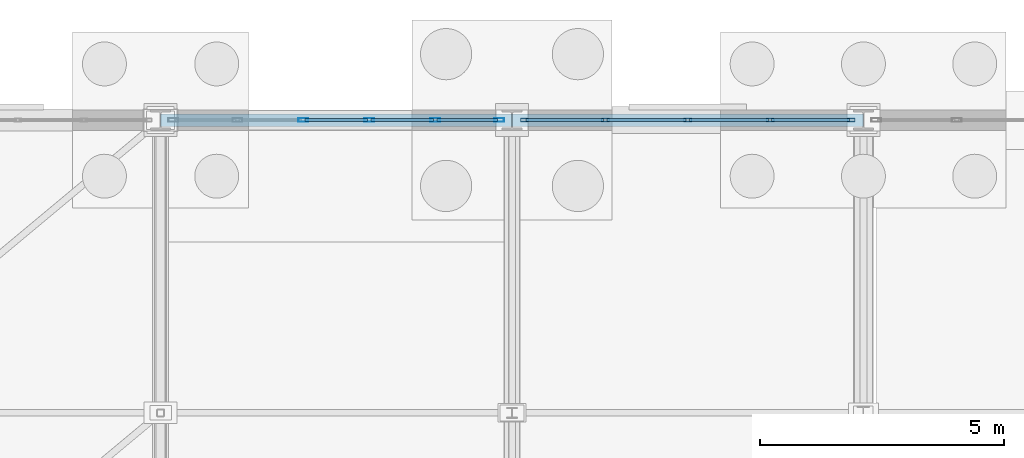
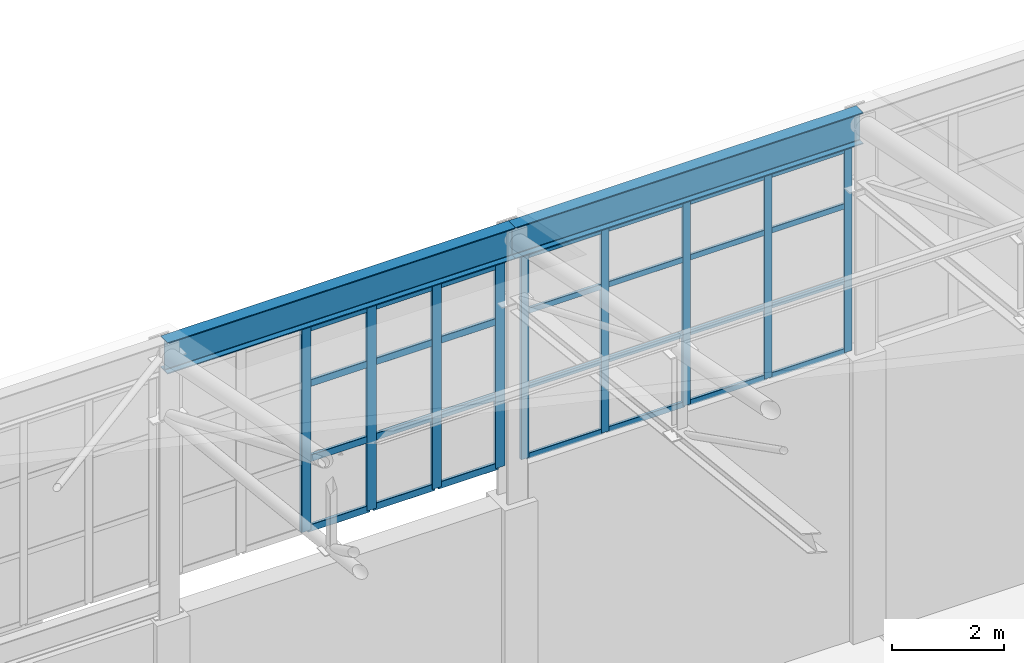
# One storey, part 203 of 293: 37 members, 2 beams, 2 elements without a shape of their own.
"""IFC4 building model written with IfcOpenShell, lengths in metres."""

from ifc_helpers import new_model, si_unit, direction, frame, origin, origin_2d, place, context, subcontext, project, spatial, hollow_rectangle, i_section, extrude, material, layer, layer_set, material_profile, profile_set, type_object, element, aggregate, save


model = new_model("IFC4")

# Units and contexts
model_context = context("Model", 3, precision=1e-05, world=origin(), true_north=direction((0.0, 1.0)))
body_context = subcontext(model_context, "Body", "Model", "MODEL_VIEW")
ifc_project = project(units=[si_unit("LENGTHUNIT", "METRE"), si_unit("AREAUNIT", "SQUARE_METRE"), si_unit("VOLUMEUNIT", "CUBIC_METRE"), si_unit("PLANEANGLEUNIT", "RADIAN"), si_unit("MASSUNIT", "GRAM", prefix="KILO")], contexts=[model_context])

# Site, building, storey
site_placement = place(None, origin())
site = spatial("IfcSite", under=ifc_project, at=site_placement, CompositionType="ELEMENT")
building_placement = place(site_placement, origin())
building = spatial("IfcBuilding", under=site, at=building_placement, Name="Kemerveld Promenade Tramway Depot", CompositionType="ELEMENT")
storey_placement = place(building_placement, origin())
storey = spatial("IfcBuildingStorey", under=building, at=storey_placement, Name="L00", CompositionType="ELEMENT", Elevation=0.0)

# Beams
ifc_material_1 = material(Name="Steel S355", Category="steel")
ifc_material_profile_1 = material_profile(ifc_material_1, i_section(OverallWidth=0.25439453125, OverallDepth=0.6875, WebThickness=0.01318359375, FlangeThickness=0.02099609375, FilletRadius=0.01513671875, at=origin_2d()), Name="686x254x152 UB")
ifc_profile_set_1 = profile_set([ifc_material_profile_1], Name="Steel S355")
beam_type = type_object("IfcBeamType", Name="BM-G03", PredefinedType="BEAM", material=ifc_profile_set_1)
beam_1_placement = place(storey_placement, frame((43.199951171875, 144.0, 11.056396484375), z_axis=(1.0, 0.0, 0.0), x_axis=(0.0, 1.0, 0.0)))
element("IfcBeam", 1, at=beam_1_placement, inside=storey, type_object=beam_type, Name="BM-SHED-EAVE-U-07", PredefinedType="BEAM", context=body_context, shape_type="SweptSolid", body=[
    extrude(i_section(OverallWidth=0.25439453125, OverallDepth=0.6875, WebThickness=0.01318359375, FlangeThickness=0.02099609375, FilletRadius=0.01513671875, at=origin_2d()), origin(), (0.0, 0.0, 1.0), 7.199951171875),
])
beam_2_placement = place(storey_placement, frame((50.39990234375, 144.0, 11.056396484375), z_axis=(1.0, 0.0, 0.0), x_axis=(0.0, 1.0, 0.0)))
element("IfcBeam", 2, at=beam_2_placement, inside=storey, type_object=beam_type, Name="BM-SHED-EAVE-U-08", PredefinedType="BEAM", context=body_context, shape_type="SweptSolid", body=[
    extrude(i_section(OverallWidth=0.25439453125, OverallDepth=0.6875, WebThickness=0.01318359375, FlangeThickness=0.02099609375, FilletRadius=0.01513671875, at=origin_2d()), origin(), (0.0, 0.0, 1.0), 7.2001953125),
])

# Curtain wall, members
ifc_material_2 = material(Name="Bronze anodised aluminium and solar glass", Category="aluminium")
ifc_layer_1 = layer(ifc_material_2, 0.159912109375)
ifc_layer_set_1 = layer_set([ifc_layer_1], Name="CW-SYS-03")
curtain_wall_type_1 = type_object("IfcCurtainWallType", Name="CW-SYS-03", PredefinedType="USERDEFINED", material=ifc_layer_set_1)
curtain_wall_1_placement = place(storey_placement, origin())
curtain_wall_1 = element("IfcCurtainWall", 3, at=curtain_wall_1_placement, inside=storey, type_object=curtain_wall_type_1, Name="CW-V1-N-03", ObjectType="GLAZED_CURTAIN_WALL", PredefinedType="USERDEFINED")
ifc_material_3 = material(Name="Bronze anodised aluminium", Category="aluminium")
ifc_material_profile_2 = material_profile(ifc_material_3, hollow_rectangle(XDim=0.06494140625, YDim=0.159912109375, WallThickness=0.00390625, InnerFilletRadius=0.001953125, OuterFilletRadius=0.00390625, at=origin_2d()), Name="CW-MUL-160x65")
ifc_profile_set_2 = profile_set([ifc_material_profile_2], Name="Bronze anodised aluminium")
member_type_1 = type_object("IfcMemberType", Name="CW-MUL-A", PredefinedType="MULLION", material=ifc_profile_set_2)
member_1_placement = place(storey_placement, frame((50.65576171875, 144.0, 6.199951171875), z_axis=(0.0, 0.0, 1.0), x_axis=(0.0, 1.0, 0.0)))
member_1 = element("IfcMember", 4, at=member_1_placement, type_object=member_type_1, Name="CW03 mullion 1", PredefinedType="MULLION", context=body_context, shape_type="SweptSolid", body=[
    extrude(hollow_rectangle(XDim=0.06494140625, YDim=0.159912109375, WallThickness=0.00390625, InnerFilletRadius=0.001953125, OuterFilletRadius=0.00390625, at=origin_2d()), origin(), (0.0, 0.0, 1.0), 4.449951171875),
])
member_2_placement = place(storey_placement, frame((52.3115234375, 144.0, 6.199951171875), z_axis=(0.0, 0.0, 1.0), x_axis=(0.0, 1.0, 0.0)))
member_2 = element("IfcMember", 5, at=member_2_placement, type_object=member_type_1, Name="CW03 mullion 2", PredefinedType="MULLION", context=body_context, shape_type="SweptSolid", body=[
    extrude(hollow_rectangle(XDim=0.06494140625, YDim=0.159912109375, WallThickness=0.00390625, InnerFilletRadius=0.001953125, OuterFilletRadius=0.00390625, at=origin_2d()), origin(), (0.0, 0.0, 1.0), 4.449951171875),
])
member_3_placement = place(storey_placement, frame((54.0, 144.0, 6.199951171875), z_axis=(0.0, 0.0, 1.0), x_axis=(0.0, 1.0, 0.0)))
member_3 = element("IfcMember", 6, at=member_3_placement, type_object=member_type_1, Name="CW03 mullion 3", PredefinedType="MULLION", context=body_context, shape_type="SweptSolid", body=[
    extrude(hollow_rectangle(XDim=0.06494140625, YDim=0.159912109375, WallThickness=0.00390625, InnerFilletRadius=0.001953125, OuterFilletRadius=0.00390625, at=origin_2d()), origin(), (0.0, 0.0, 1.0), 4.449951171875),
])
member_4_placement = place(storey_placement, frame((55.6884765625, 144.0, 6.199951171875), z_axis=(0.0, 0.0, 1.0), x_axis=(0.0, 1.0, 0.0)))
member_4 = element("IfcMember", 7, at=member_4_placement, type_object=member_type_1, Name="CW03 mullion 4", PredefinedType="MULLION", context=body_context, shape_type="SweptSolid", body=[
    extrude(hollow_rectangle(XDim=0.06494140625, YDim=0.159912109375, WallThickness=0.00390625, InnerFilletRadius=0.001953125, OuterFilletRadius=0.00390625, at=origin_2d()), origin(), (0.0, 0.0, 1.0), 4.449951171875),
])
member_5_placement = place(storey_placement, frame((57.34423828125, 144.0, 6.199951171875), z_axis=(0.0, 0.0, 1.0), x_axis=(0.0, 1.0, 0.0)))
member_5 = element("IfcMember", 8, at=member_5_placement, type_object=member_type_1, Name="CW03 mullion 5", PredefinedType="MULLION", context=body_context, shape_type="SweptSolid", body=[
    extrude(hollow_rectangle(XDim=0.06494140625, YDim=0.159912109375, WallThickness=0.00390625, InnerFilletRadius=0.001953125, OuterFilletRadius=0.00390625, at=origin_2d()), origin(), (0.0, 0.0, 1.0), 4.449951171875),
])

ifc_layer_2 = layer(ifc_material_2, 0.199951171875)
ifc_layer_set_2 = layer_set([ifc_layer_2], Name="CW-SYS-02")
curtain_wall_type_2 = type_object("IfcCurtainWallType", Name="CW-SYS-02", PredefinedType="USERDEFINED", material=ifc_layer_set_2)
curtain_wall_2_placement = place(storey_placement, origin())
curtain_wall_2 = element("IfcCurtainWall", 9, at=curtain_wall_2_placement, inside=storey, type_object=curtain_wall_type_2, Name="CW-V1-N-02", ObjectType="GLAZED_CURTAIN_WALL", PredefinedType="USERDEFINED")
ifc_material_profile_3 = material_profile(ifc_material_3, hollow_rectangle(XDim=0.074951171875, YDim=0.199951171875, WallThickness=0.0048828125, InnerFilletRadius=0.001953125, OuterFilletRadius=0.0048828125, at=origin_2d()), Name="CW-MUL-200x75")
ifc_profile_set_3 = profile_set([ifc_material_profile_3], Name="Bronze anodised aluminium")
member_type_2 = type_object("IfcMemberType", Name="CW-MUL-B", PredefinedType="MULLION", material=ifc_profile_set_3)
member_6_placement = place(storey_placement, frame((46.124755859375, 144.0, 6.199951171875), z_axis=(0.0, 0.0, 1.0), x_axis=(0.0, 1.0, 0.0)))
member_6 = element("IfcMember", 10, at=member_6_placement, type_object=member_type_2, Name="CW02 mullion 3", PredefinedType="MULLION", context=body_context, shape_type="SweptSolid", body=[
    extrude(hollow_rectangle(XDim=0.074951171875, YDim=0.199951171875, WallThickness=0.0048828125, InnerFilletRadius=0.001953125, OuterFilletRadius=0.0048828125, at=origin_2d()), origin(), (0.0, 0.0, 1.0), 4.449951171875),
])
member_7_placement = place(storey_placement, frame((47.475341796875, 144.0, 6.199951171875), z_axis=(0.0, 0.0, 1.0), x_axis=(0.0, 1.0, 0.0)))
member_7 = element("IfcMember", 11, at=member_7_placement, type_object=member_type_2, Name="CW02 mullion 4", PredefinedType="MULLION", context=body_context, shape_type="SweptSolid", body=[
    extrude(hollow_rectangle(XDim=0.074951171875, YDim=0.199951171875, WallThickness=0.0048828125, InnerFilletRadius=0.001953125, OuterFilletRadius=0.0048828125, at=origin_2d()), origin(), (0.0, 0.0, 1.0), 4.449951171875),
])
member_8_placement = place(storey_placement, frame((48.826171875, 144.0, 6.199951171875), z_axis=(0.0, 0.0, 1.0), x_axis=(0.0, 1.0, 0.0)))
member_8 = element("IfcMember", 12, at=member_8_placement, type_object=member_type_2, Name="CW02 mullion 5", PredefinedType="MULLION", context=body_context, shape_type="SweptSolid", body=[
    extrude(hollow_rectangle(XDim=0.074951171875, YDim=0.199951171875, WallThickness=0.0048828125, InnerFilletRadius=0.001953125, OuterFilletRadius=0.0048828125, at=origin_2d()), origin(), (0.0, 0.0, 1.0), 4.449951171875),
])
member_9_placement = place(storey_placement, frame((50.139404296875, 144.0, 6.199951171875), z_axis=(0.0, 0.0, 1.0), x_axis=(0.0, 1.0, 0.0)))
member_9 = element("IfcMember", 13, at=member_9_placement, type_object=member_type_2, Name="CW02 mullion 6", PredefinedType="MULLION", context=body_context, shape_type="SweptSolid", body=[
    extrude(hollow_rectangle(XDim=0.074951171875, YDim=0.199951171875, WallThickness=0.0048828125, InnerFilletRadius=0.001953125, OuterFilletRadius=0.0048828125, at=origin_2d()), origin(), (0.0, 0.0, 1.0), 4.449951171875),
])

# Member
ifc_material_profile_4 = material_profile(ifc_material_3, hollow_rectangle(XDim=0.06005859375, YDim=0.1201171875, WallThickness=0.00390625, InnerFilletRadius=0.001953125, OuterFilletRadius=0.00390625, at=origin_2d()), Name="CW-TRN-120x60")
ifc_profile_set_4 = profile_set([ifc_material_profile_4], Name="Bronze anodised aluminium")
member_type_3 = type_object("IfcMemberType", Name="CW-TRN-A", PredefinedType="USERDEFINED", material=ifc_profile_set_4)
member_10_placement = place(storey_placement, frame((50.688232421875, 144.0, 6.22998046875), z_axis=(1.0, 0.0, 0.0), x_axis=(0.0, 1.0, 0.0)))
member_10 = element("IfcMember", 14, at=member_10_placement, type_object=member_type_3, Name="CW03 transom 1.1", ObjectType="TRANSOM", PredefinedType="USERDEFINED", context=body_context, shape_type="SweptSolid", body=[
    extrude(hollow_rectangle(XDim=0.06005859375, YDim=0.1201171875, WallThickness=0.00390625, InnerFilletRadius=0.001953125, OuterFilletRadius=0.00390625, at=origin_2d()), origin(), (0.0, 0.0, 1.0), 1.5908203125),
])

member_11_placement = place(storey_placement, frame((50.688232421875, 144.0, 7.758056640625), z_axis=(1.0, 0.0, 0.0), x_axis=(0.0, 1.0, 0.0)))
member_11 = element("IfcMember", 15, at=member_11_placement, type_object=member_type_3, Name="CW03 transom 1.2", ObjectType="TRANSOM", PredefinedType="USERDEFINED", context=body_context, shape_type="SweptSolid", body=[
    extrude(hollow_rectangle(XDim=0.06005859375, YDim=0.1201171875, WallThickness=0.00390625, InnerFilletRadius=0.001953125, OuterFilletRadius=0.00390625, at=origin_2d()), origin(), (0.0, 0.0, 1.0), 1.5908203125),
])

member_12_placement = place(storey_placement, frame((50.688232421875, 144.0, 9.404052734375), z_axis=(1.0, 0.0, 0.0), x_axis=(0.0, 1.0, 0.0)))
member_12 = element("IfcMember", 16, at=member_12_placement, type_object=member_type_3, Name="CW03 transom 1.3", ObjectType="TRANSOM", PredefinedType="USERDEFINED", context=body_context, shape_type="SweptSolid", body=[
    extrude(hollow_rectangle(XDim=0.06005859375, YDim=0.1201171875, WallThickness=0.00390625, InnerFilletRadius=0.001953125, OuterFilletRadius=0.00390625, at=origin_2d()), origin(), (0.0, 0.0, 1.0), 1.5908203125),
])

member_13_placement = place(storey_placement, frame((50.688232421875, 144.0, 10.6201171875), z_axis=(1.0, 0.0, 0.0), x_axis=(0.0, 1.0, 0.0)))
member_13 = element("IfcMember", 17, at=member_13_placement, type_object=member_type_3, Name="CW03 transom 1.4", ObjectType="TRANSOM", PredefinedType="USERDEFINED", context=body_context, shape_type="SweptSolid", body=[
    extrude(hollow_rectangle(XDim=0.06005859375, YDim=0.1201171875, WallThickness=0.00390625, InnerFilletRadius=0.001953125, OuterFilletRadius=0.00390625, at=origin_2d()), origin(), (0.0, 0.0, 1.0), 1.5908203125),
])

member_14_placement = place(storey_placement, frame((52.343994140625, 144.0, 6.22998046875), z_axis=(1.0, 0.0, 0.0), x_axis=(0.0, 1.0, 0.0)))
member_14 = element("IfcMember", 18, at=member_14_placement, type_object=member_type_3, Name="CW03 transom 2.1", ObjectType="TRANSOM", PredefinedType="USERDEFINED", context=body_context, shape_type="SweptSolid", body=[
    extrude(hollow_rectangle(XDim=0.06005859375, YDim=0.1201171875, WallThickness=0.00390625, InnerFilletRadius=0.001953125, OuterFilletRadius=0.00390625, at=origin_2d()), origin(), (0.0, 0.0, 1.0), 1.62353515625),
])

member_15_placement = place(storey_placement, frame((52.343994140625, 144.0, 7.758056640625), z_axis=(1.0, 0.0, 0.0), x_axis=(0.0, 1.0, 0.0)))
member_15 = element("IfcMember", 19, at=member_15_placement, type_object=member_type_3, Name="CW03 transom 2.2", ObjectType="TRANSOM", PredefinedType="USERDEFINED", context=body_context, shape_type="SweptSolid", body=[
    extrude(hollow_rectangle(XDim=0.06005859375, YDim=0.1201171875, WallThickness=0.00390625, InnerFilletRadius=0.001953125, OuterFilletRadius=0.00390625, at=origin_2d()), origin(), (0.0, 0.0, 1.0), 1.62353515625),
])

member_16_placement = place(storey_placement, frame((52.343994140625, 144.0, 9.404052734375), z_axis=(1.0, 0.0, 0.0), x_axis=(0.0, 1.0, 0.0)))
member_16 = element("IfcMember", 20, at=member_16_placement, type_object=member_type_3, Name="CW03 transom 2.3", ObjectType="TRANSOM", PredefinedType="USERDEFINED", context=body_context, shape_type="SweptSolid", body=[
    extrude(hollow_rectangle(XDim=0.06005859375, YDim=0.1201171875, WallThickness=0.00390625, InnerFilletRadius=0.001953125, OuterFilletRadius=0.00390625, at=origin_2d()), origin(), (0.0, 0.0, 1.0), 1.62353515625),
])

member_17_placement = place(storey_placement, frame((52.343994140625, 144.0, 10.6201171875), z_axis=(1.0, 0.0, 0.0), x_axis=(0.0, 1.0, 0.0)))
member_17 = element("IfcMember", 21, at=member_17_placement, type_object=member_type_3, Name="CW03 transom 2.4", ObjectType="TRANSOM", PredefinedType="USERDEFINED", context=body_context, shape_type="SweptSolid", body=[
    extrude(hollow_rectangle(XDim=0.06005859375, YDim=0.1201171875, WallThickness=0.00390625, InnerFilletRadius=0.001953125, OuterFilletRadius=0.00390625, at=origin_2d()), origin(), (0.0, 0.0, 1.0), 1.62353515625),
])

member_18_placement = place(storey_placement, frame((54.032470703125, 144.0, 6.22998046875), z_axis=(1.0, 0.0, 0.0), x_axis=(0.0, 1.0, 0.0)))
member_18 = element("IfcMember", 22, at=member_18_placement, type_object=member_type_3, Name="CW03 transom 3.1", ObjectType="TRANSOM", PredefinedType="USERDEFINED", context=body_context, shape_type="SweptSolid", body=[
    extrude(hollow_rectangle(XDim=0.06005859375, YDim=0.1201171875, WallThickness=0.00390625, InnerFilletRadius=0.001953125, OuterFilletRadius=0.00390625, at=origin_2d()), origin(), (0.0, 0.0, 1.0), 1.62353515625),
])

member_19_placement = place(storey_placement, frame((54.032470703125, 144.0, 7.758056640625), z_axis=(1.0, 0.0, 0.0), x_axis=(0.0, 1.0, 0.0)))
member_19 = element("IfcMember", 23, at=member_19_placement, type_object=member_type_3, Name="CW03 transom 3.2", ObjectType="TRANSOM", PredefinedType="USERDEFINED", context=body_context, shape_type="SweptSolid", body=[
    extrude(hollow_rectangle(XDim=0.06005859375, YDim=0.1201171875, WallThickness=0.00390625, InnerFilletRadius=0.001953125, OuterFilletRadius=0.00390625, at=origin_2d()), origin(), (0.0, 0.0, 1.0), 1.62353515625),
])

member_20_placement = place(storey_placement, frame((54.032470703125, 144.0, 9.404052734375), z_axis=(1.0, 0.0, 0.0), x_axis=(0.0, 1.0, 0.0)))
member_20 = element("IfcMember", 24, at=member_20_placement, type_object=member_type_3, Name="CW03 transom 3.3", ObjectType="TRANSOM", PredefinedType="USERDEFINED", context=body_context, shape_type="SweptSolid", body=[
    extrude(hollow_rectangle(XDim=0.06005859375, YDim=0.1201171875, WallThickness=0.00390625, InnerFilletRadius=0.001953125, OuterFilletRadius=0.00390625, at=origin_2d()), origin(), (0.0, 0.0, 1.0), 1.62353515625),
])

member_21_placement = place(storey_placement, frame((54.032470703125, 144.0, 10.6201171875), z_axis=(1.0, 0.0, 0.0), x_axis=(0.0, 1.0, 0.0)))
member_21 = element("IfcMember", 25, at=member_21_placement, type_object=member_type_3, Name="CW03 transom 3.4", ObjectType="TRANSOM", PredefinedType="USERDEFINED", context=body_context, shape_type="SweptSolid", body=[
    extrude(hollow_rectangle(XDim=0.06005859375, YDim=0.1201171875, WallThickness=0.00390625, InnerFilletRadius=0.001953125, OuterFilletRadius=0.00390625, at=origin_2d()), origin(), (0.0, 0.0, 1.0), 1.62353515625),
])

member_22_placement = place(storey_placement, frame((55.720947265625, 144.0, 6.22998046875), z_axis=(1.0, 0.0, 0.0), x_axis=(0.0, 1.0, 0.0)))
member_22 = element("IfcMember", 26, at=member_22_placement, type_object=member_type_3, Name="CW03 transom 4.1", ObjectType="TRANSOM", PredefinedType="USERDEFINED", context=body_context, shape_type="SweptSolid", body=[
    extrude(hollow_rectangle(XDim=0.06005859375, YDim=0.1201171875, WallThickness=0.00390625, InnerFilletRadius=0.001953125, OuterFilletRadius=0.00390625, at=origin_2d()), origin(), (0.0, 0.0, 1.0), 1.5908203125),
])

member_23_placement = place(storey_placement, frame((55.720947265625, 144.0, 7.758056640625), z_axis=(1.0, 0.0, 0.0), x_axis=(0.0, 1.0, 0.0)))
member_23 = element("IfcMember", 27, at=member_23_placement, type_object=member_type_3, Name="CW03 transom 4.2", ObjectType="TRANSOM", PredefinedType="USERDEFINED", context=body_context, shape_type="SweptSolid", body=[
    extrude(hollow_rectangle(XDim=0.06005859375, YDim=0.1201171875, WallThickness=0.00390625, InnerFilletRadius=0.001953125, OuterFilletRadius=0.00390625, at=origin_2d()), origin(), (0.0, 0.0, 1.0), 1.5908203125),
])

member_24_placement = place(storey_placement, frame((55.720947265625, 144.0, 9.404052734375), z_axis=(1.0, 0.0, 0.0), x_axis=(0.0, 1.0, 0.0)))
member_24 = element("IfcMember", 28, at=member_24_placement, type_object=member_type_3, Name="CW03 transom 4.3", ObjectType="TRANSOM", PredefinedType="USERDEFINED", context=body_context, shape_type="SweptSolid", body=[
    extrude(hollow_rectangle(XDim=0.06005859375, YDim=0.1201171875, WallThickness=0.00390625, InnerFilletRadius=0.001953125, OuterFilletRadius=0.00390625, at=origin_2d()), origin(), (0.0, 0.0, 1.0), 1.5908203125),
])

member_25_placement = place(storey_placement, frame((55.720947265625, 144.0, 10.6201171875), z_axis=(1.0, 0.0, 0.0), x_axis=(0.0, 1.0, 0.0)))
member_25 = element("IfcMember", 29, at=member_25_placement, type_object=member_type_3, Name="CW03 transom 4.4", ObjectType="TRANSOM", PredefinedType="USERDEFINED", context=body_context, shape_type="SweptSolid", body=[
    extrude(hollow_rectangle(XDim=0.06005859375, YDim=0.1201171875, WallThickness=0.00390625, InnerFilletRadius=0.001953125, OuterFilletRadius=0.00390625, at=origin_2d()), origin(), (0.0, 0.0, 1.0), 1.5908203125),
])

aggregate(curtain_wall_1, [member_1, member_2, member_3, member_4, member_5, member_10, member_11, member_12, member_13, member_14, member_15, member_16, member_17, member_18, member_19, member_20, member_21, member_22, member_23, member_24, member_25])

ifc_material_profile_5 = material_profile(ifc_material_3, hollow_rectangle(XDim=0.06494140625, YDim=0.14990234375, WallThickness=0.00439453125, InnerFilletRadius=0.001953125, OuterFilletRadius=0.00439453125, at=origin_2d()), Name="CW-TRN-150x65")
ifc_profile_set_5 = profile_set([ifc_material_profile_5], Name="Bronze anodised aluminium")
member_type_4 = type_object("IfcMemberType", Name="CW-TRN-B", PredefinedType="USERDEFINED", material=ifc_profile_set_5)
member_26_placement = place(storey_placement, frame((46.162109375, 144.0, 6.232421875), z_axis=(1.0, 0.0, 0.0), x_axis=(0.0, 1.0, 0.0)))
member_26 = element("IfcMember", 30, at=member_26_placement, type_object=member_type_4, Name="CW02 transom 3.1", ObjectType="TRANSOM", PredefinedType="USERDEFINED", context=body_context, shape_type="SweptSolid", body=[
    extrude(hollow_rectangle(XDim=0.06494140625, YDim=0.14990234375, WallThickness=0.00439453125, InnerFilletRadius=0.001953125, OuterFilletRadius=0.00439453125, at=origin_2d()), origin(), (0.0, 0.0, 1.0), 1.275634765625),
])

member_27_placement = place(storey_placement, frame((46.162109375, 144.0, 7.758056640625), z_axis=(1.0, 0.0, 0.0), x_axis=(0.0, 1.0, 0.0)))
member_27 = element("IfcMember", 31, at=member_27_placement, type_object=member_type_4, Name="CW02 transom 3.2", ObjectType="TRANSOM", PredefinedType="USERDEFINED", context=body_context, shape_type="SweptSolid", body=[
    extrude(hollow_rectangle(XDim=0.06494140625, YDim=0.14990234375, WallThickness=0.00439453125, InnerFilletRadius=0.001953125, OuterFilletRadius=0.00439453125, at=origin_2d()), origin(), (0.0, 0.0, 1.0), 1.275634765625),
])

member_28_placement = place(storey_placement, frame((46.162109375, 144.0, 9.404052734375), z_axis=(1.0, 0.0, 0.0), x_axis=(0.0, 1.0, 0.0)))
member_28 = element("IfcMember", 32, at=member_28_placement, type_object=member_type_4, Name="CW02 transom 3.3", ObjectType="TRANSOM", PredefinedType="USERDEFINED", context=body_context, shape_type="SweptSolid", body=[
    extrude(hollow_rectangle(XDim=0.06494140625, YDim=0.14990234375, WallThickness=0.00439453125, InnerFilletRadius=0.001953125, OuterFilletRadius=0.00439453125, at=origin_2d()), origin(), (0.0, 0.0, 1.0), 1.275634765625),
])

member_29_placement = place(storey_placement, frame((46.162109375, 144.0, 10.617431640625), z_axis=(1.0, 0.0, 0.0), x_axis=(0.0, 1.0, 0.0)))
member_29 = element("IfcMember", 33, at=member_29_placement, type_object=member_type_4, Name="CW02 transom 3.4", ObjectType="TRANSOM", PredefinedType="USERDEFINED", context=body_context, shape_type="SweptSolid", body=[
    extrude(hollow_rectangle(XDim=0.06494140625, YDim=0.14990234375, WallThickness=0.00439453125, InnerFilletRadius=0.001953125, OuterFilletRadius=0.00439453125, at=origin_2d()), origin(), (0.0, 0.0, 1.0), 1.275634765625),
])

member_30_placement = place(storey_placement, frame((47.512939453125, 144.0, 6.232421875), z_axis=(1.0, 0.0, 0.0), x_axis=(0.0, 1.0, 0.0)))
member_30 = element("IfcMember", 34, at=member_30_placement, type_object=member_type_4, Name="CW02 transom 4.1", ObjectType="TRANSOM", PredefinedType="USERDEFINED", context=body_context, shape_type="SweptSolid", body=[
    extrude(hollow_rectangle(XDim=0.06494140625, YDim=0.14990234375, WallThickness=0.00439453125, InnerFilletRadius=0.001953125, OuterFilletRadius=0.00439453125, at=origin_2d()), origin(), (0.0, 0.0, 1.0), 1.275634765625),
])

member_31_placement = place(storey_placement, frame((47.512939453125, 144.0, 7.758056640625), z_axis=(1.0, 0.0, 0.0), x_axis=(0.0, 1.0, 0.0)))
member_31 = element("IfcMember", 35, at=member_31_placement, type_object=member_type_4, Name="CW02 transom 4.2", ObjectType="TRANSOM", PredefinedType="USERDEFINED", context=body_context, shape_type="SweptSolid", body=[
    extrude(hollow_rectangle(XDim=0.06494140625, YDim=0.14990234375, WallThickness=0.00439453125, InnerFilletRadius=0.001953125, OuterFilletRadius=0.00439453125, at=origin_2d()), origin(), (0.0, 0.0, 1.0), 1.275634765625),
])

member_32_placement = place(storey_placement, frame((47.512939453125, 144.0, 9.404052734375), z_axis=(1.0, 0.0, 0.0), x_axis=(0.0, 1.0, 0.0)))
member_32 = element("IfcMember", 36, at=member_32_placement, type_object=member_type_4, Name="CW02 transom 4.3", ObjectType="TRANSOM", PredefinedType="USERDEFINED", context=body_context, shape_type="SweptSolid", body=[
    extrude(hollow_rectangle(XDim=0.06494140625, YDim=0.14990234375, WallThickness=0.00439453125, InnerFilletRadius=0.001953125, OuterFilletRadius=0.00439453125, at=origin_2d()), origin(), (0.0, 0.0, 1.0), 1.275634765625),
])

member_33_placement = place(storey_placement, frame((47.512939453125, 144.0, 10.617431640625), z_axis=(1.0, 0.0, 0.0), x_axis=(0.0, 1.0, 0.0)))
member_33 = element("IfcMember", 37, at=member_33_placement, type_object=member_type_4, Name="CW02 transom 4.4", ObjectType="TRANSOM", PredefinedType="USERDEFINED", context=body_context, shape_type="SweptSolid", body=[
    extrude(hollow_rectangle(XDim=0.06494140625, YDim=0.14990234375, WallThickness=0.00439453125, InnerFilletRadius=0.001953125, OuterFilletRadius=0.00439453125, at=origin_2d()), origin(), (0.0, 0.0, 1.0), 1.275634765625),
])

member_34_placement = place(storey_placement, frame((48.863525390625, 144.0, 6.232421875), z_axis=(1.0, 0.0, 0.0), x_axis=(0.0, 1.0, 0.0)))
member_34 = element("IfcMember", 38, at=member_34_placement, type_object=member_type_4, Name="CW02 transom 5.1", ObjectType="TRANSOM", PredefinedType="USERDEFINED", context=body_context, shape_type="SweptSolid", body=[
    extrude(hollow_rectangle(XDim=0.06494140625, YDim=0.14990234375, WallThickness=0.00439453125, InnerFilletRadius=0.001953125, OuterFilletRadius=0.00439453125, at=origin_2d()), origin(), (0.0, 0.0, 1.0), 1.23828125),
])

member_35_placement = place(storey_placement, frame((48.863525390625, 144.0, 7.758056640625), z_axis=(1.0, 0.0, 0.0), x_axis=(0.0, 1.0, 0.0)))
member_35 = element("IfcMember", 39, at=member_35_placement, type_object=member_type_4, Name="CW02 transom 5.2", ObjectType="TRANSOM", PredefinedType="USERDEFINED", context=body_context, shape_type="SweptSolid", body=[
    extrude(hollow_rectangle(XDim=0.06494140625, YDim=0.14990234375, WallThickness=0.00439453125, InnerFilletRadius=0.001953125, OuterFilletRadius=0.00439453125, at=origin_2d()), origin(), (0.0, 0.0, 1.0), 1.23828125),
])

member_36_placement = place(storey_placement, frame((48.863525390625, 144.0, 9.404052734375), z_axis=(1.0, 0.0, 0.0), x_axis=(0.0, 1.0, 0.0)))
member_36 = element("IfcMember", 40, at=member_36_placement, type_object=member_type_4, Name="CW02 transom 5.3", ObjectType="TRANSOM", PredefinedType="USERDEFINED", context=body_context, shape_type="SweptSolid", body=[
    extrude(hollow_rectangle(XDim=0.06494140625, YDim=0.14990234375, WallThickness=0.00439453125, InnerFilletRadius=0.001953125, OuterFilletRadius=0.00439453125, at=origin_2d()), origin(), (0.0, 0.0, 1.0), 1.23828125),
])

member_37_placement = place(storey_placement, frame((48.863525390625, 144.0, 10.617431640625), z_axis=(1.0, 0.0, 0.0), x_axis=(0.0, 1.0, 0.0)))
member_37 = element("IfcMember", 41, at=member_37_placement, type_object=member_type_4, Name="CW02 transom 5.4", ObjectType="TRANSOM", PredefinedType="USERDEFINED", context=body_context, shape_type="SweptSolid", body=[
    extrude(hollow_rectangle(XDim=0.06494140625, YDim=0.14990234375, WallThickness=0.00439453125, InnerFilletRadius=0.001953125, OuterFilletRadius=0.00439453125, at=origin_2d()), origin(), (0.0, 0.0, 1.0), 1.23828125),
])

aggregate(curtain_wall_2, [member_6, member_7, member_8, member_9, member_26, member_27, member_28, member_29, member_30, member_31, member_32, member_33, member_34, member_35, member_36, member_37])

save(model, "model.ifc")
